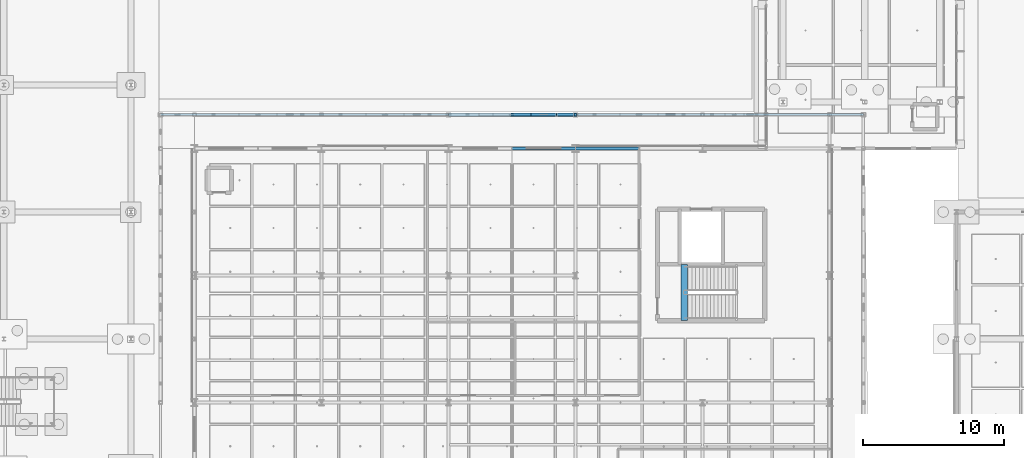
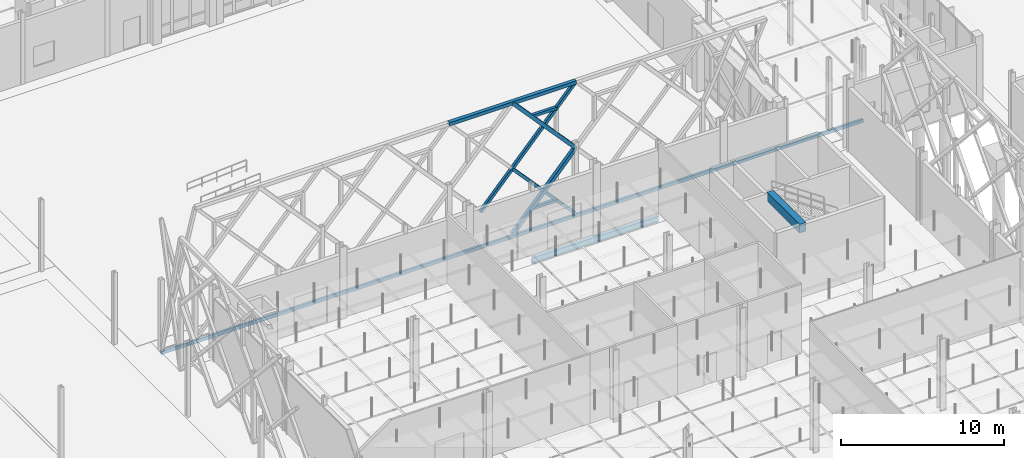
# One storey, part 44 of 180: 9 members, 4 beams.
"""IFC4 building model written with IfcOpenShell, lengths in metres."""

from ifc_helpers import new_model, si_unit, direction, frame, origin, origin_2d, place, context, subcontext, project, spatial, rectangle, hollow_rectangle, i_section, extrude, material, material_profile, profile_set, type_object, element, save


model = new_model("IFC4")

# Units and contexts
model_context = context("Model", 3, precision=1e-05, world=origin(), true_north=direction((0.0, 1.0)))
body_context = subcontext(model_context, "Body", "Model", "MODEL_VIEW")
ifc_project = project(units=[si_unit("LENGTHUNIT", "METRE"), si_unit("AREAUNIT", "SQUARE_METRE"), si_unit("VOLUMEUNIT", "CUBIC_METRE"), si_unit("PLANEANGLEUNIT", "RADIAN"), si_unit("MASSUNIT", "GRAM", prefix="KILO"), si_unit("THERMODYNAMICTEMPERATUREUNIT", "KELVIN"), si_unit("POWERUNIT", "WATT")], contexts=[model_context])

# Site, building, storey
site_placement = place(None, origin())
site = spatial("IfcSite", under=ifc_project, at=site_placement, CompositionType="ELEMENT")
building_placement = place(site_placement, origin())
building = spatial("IfcBuilding", under=site, at=building_placement, Name="Tallowbark Science Centre", CompositionType="ELEMENT")
storey_placement = place(building_placement, origin())
storey = spatial("IfcBuildingStorey", under=building, at=storey_placement, Name="L00", CompositionType="ELEMENT", Elevation=0.0)

# Beam
ifc_material_1 = material(Name="Concrete Grade N40 (40 MPa)", Category="concrete")
ifc_material_profile_1 = material_profile(ifc_material_1, rectangle(XDim=0.449951171875, YDim=0.64990234375, at=origin_2d()), Name="RC450x650")
ifc_profile_set_1 = profile_set([ifc_material_profile_1], Name="Concrete Grade N40 (40 MPa)")
beam_type_1 = type_object("IfcBeamType", Name="BM-GB2-N40", PredefinedType="BEAM", material=ifc_profile_set_1)
beam_1_placement = place(storey_placement, frame((93.2099609375, 28.300048828125, 5.074951171875), z_axis=(0.0, 1.0, 0.0), x_axis=(-1.0, 0.0, 0.0)))
element("IfcBeam", 1, at=beam_1_placement, inside=storey, type_object=beam_type_1, Name="Stair ST-03 Landing Nosing Beam L00", PredefinedType="BEAM", context=body_context, shape_type="SweptSolid", body=[
    extrude(rectangle(XDim=0.449951171875, YDim=0.64990234375, at=origin_2d()), origin(), (0.0, 0.0, 1.0), 3.994873046875),
])

# Members
ifc_material_2 = material(Name="White Architectural Painted Steel Grade C350L0 (350 MPa)", Category="steel")
ifc_material_profile_2 = material_profile(ifc_material_2, hollow_rectangle(XDim=0.25, YDim=0.25, WallThickness=0.009033203125, at=origin_2d()), Name="250x250x9.0SHS")
ifc_profile_set_2 = profile_set([ifc_material_profile_2], Name="White Architectural Painted Steel Grade C350L0 (350 MPa)")
member_type_1 = type_object("IfcMemberType", Name="SCR-CHD200", PredefinedType="CHORD", material=ifc_profile_set_2)
member_1_placement = place(storey_placement, frame((76.5, 42.89990234375, 9.89990234375), z_axis=(1.0, 0.0, 0.0), x_axis=(0.0, 1.0, 0.0)))
element("IfcMember", 2, at=member_1_placement, inside=storey, type_object=member_type_1, Name="Star Screen Frame Chord N-5", PredefinedType="CHORD", context=body_context, shape_type="SweptSolid", body=[
    extrude(hollow_rectangle(XDim=0.25, YDim=0.25, WallThickness=0.009033203125, at=origin_2d()), origin(), (0.0, 0.0, 1.0), 9.0),
])
for number, where, z_axis, x_axis, name in (
    (3, (81.0, 42.89990234375, 0.0), (0.672676426978, 0.0, 0.739936770669), (0.0, 1.0, 0.0), "Star Screen Octagram Diamond Chord N-5-1"),
    (4, (85.5, 42.89990234375, 4.949951171875), (-0.672676426978, 0.0, 0.739936770669), (0.0, -1.0, 0.0), "Star Screen Octagram Diamond Chord N-5-2"),
):
    element("IfcMember", number, at=place(storey_placement, frame(where, z_axis=z_axis, x_axis=x_axis)), inside=storey, type_object=member_type_1, Name=name, PredefinedType="CHORD", context=body_context, shape_type="SweptSolid", body=[
        extrude(hollow_rectangle(XDim=0.25, YDim=0.25, WallThickness=0.009033203125, at=origin_2d()), origin(), (0.0, 0.0, 1.0), 6.689697265625),
    ])
ifc_material_profile_3 = material_profile(ifc_material_2, hollow_rectangle(XDim=0.199951171875, YDim=0.199951171875, WallThickness=0.009033203125, at=origin_2d()), Name="200x200x9.0SHS")
ifc_profile_set_3 = profile_set([ifc_material_profile_3], Name="White Architectural Painted Steel Grade C350L0 (350 MPa)")
member_type_2 = type_object("IfcMemberType", Name="SCR-STAR139", PredefinedType="BRACE", material=ifc_profile_set_3)
member_2_placement = place(storey_placement, frame((78.75, 42.89990234375, 2.47509765625), z_axis=(0.672676426978, 0.0, 0.739936770669), x_axis=(0.0, 1.0, 0.0)))
element("IfcMember", 5, at=member_2_placement, inside=storey, type_object=member_type_2, Name="Star Screen Continuous X-Diagonal D1M N-5", PredefinedType="BRACE", context=body_context, shape_type="SweptSolid", body=[
    extrude(hollow_rectangle(XDim=0.199951171875, YDim=0.199951171875, WallThickness=0.009033203125, at=origin_2d()), origin(), (0.0, 0.0, 1.0), 6.689697265625),
])
for number, where, z_axis, x_axis, name in (
    (6, (83.25, 42.89990234375, 7.425048828125), (0.672694592231, 0.0, 0.739920256233), (0.0, 1.0, 0.0), "Star Screen Continuous X-Diagonal D1B N-5"),
    (7, (81.0, 42.89990234375, 4.949951171875), (0.672694592231, 0.0, -0.739920256233), (0.0, 1.0, 0.0), "Star Screen Split X-Diagonal D2C N-5"),
):
    element("IfcMember", number, at=place(storey_placement, frame(where, z_axis=z_axis, x_axis=x_axis)), inside=storey, type_object=member_type_2, Name=name, PredefinedType="BRACE", context=body_context, shape_type="SweptSolid", body=[
        extrude(hollow_rectangle(XDim=0.199951171875, YDim=0.199951171875, WallThickness=0.009033203125, at=origin_2d()), origin(), (0.0, 0.0, 1.0), 3.3447265625),
    ])
member_3_placement = place(storey_placement, frame((83.25, 42.89990234375, 2.47509765625), z_axis=(0.672658262301, 0.0, -0.739953283768), x_axis=(0.0, 1.0, 0.0)))
element("IfcMember", 8, at=member_3_placement, inside=storey, type_object=member_type_2, Name="Star Screen Split X-Diagonal D2D N-5", PredefinedType="BRACE", context=body_context, shape_type="SweptSolid", body=[
    extrude(hollow_rectangle(XDim=0.199951171875, YDim=0.199951171875, WallThickness=0.009033203125, at=origin_2d()), origin(), (0.0, 0.0, 1.0), 3.344970703125),
])
ifc_material_profile_4 = material_profile(ifc_material_2, hollow_rectangle(XDim=0.199951171875, YDim=0.199951171875, WallThickness=0.009033203125, at=origin_2d()), Name="200x200x9.0SHS")
ifc_profile_set_4 = profile_set([ifc_material_profile_4], Name="White Architectural Painted Steel Grade C350L0 (350 MPa)")
member_type_3 = type_object("IfcMemberType", Name="SCR-SUB150", PredefinedType="BRACE", material=ifc_profile_set_4)
for number, where, z_axis, x_axis, name in (
    (9, (84.14990234375, 42.89990234375, 1.485107421875), (-1.0, 0.0, 0.0), (0.0, -1.0, 0.0), "Star Screen Octagram Point Ray N-5-3"),
    (10, (84.14990234375, 42.89990234375, 8.4150390625), (-1.0, 0.0, 0.0), (0.0, -1.0, 0.0), "Star Screen Octagram Point Ray N-5-5"),
):
    element("IfcMember", number, at=place(storey_placement, frame(where, z_axis=z_axis, x_axis=x_axis)), inside=storey, type_object=member_type_3, Name=name, PredefinedType="BRACE", context=body_context, shape_type="SweptSolid", body=[
        extrude(hollow_rectangle(XDim=0.199951171875, YDim=0.199951171875, WallThickness=0.009033203125, at=origin_2d()), origin(), (0.0, 0.0, 1.0), 1.7998046875),
    ])

# Beams
ifc_material_profile_5 = material_profile(ifc_material_2, hollow_rectangle(XDim=0.14990234375, YDim=0.25, WallThickness=0.009033203125, at=origin_2d()), Name="250x150x9.0RHS")
ifc_profile_set_5 = profile_set([ifc_material_profile_5], Name="White Architectural Painted Steel Grade C350L0 (350 MPa)")
beam_type_2 = type_object("IfcBeamType", Name="SPN-RHS250", PredefinedType="SPANDREL", material=ifc_profile_set_5)
beam_2_placement = place(storey_placement, frame((56.10009765625, 42.89990234375, -0.14990234375), z_axis=(1.0, 0.0, 0.0), x_axis=(0.0, 1.0, 0.0)))
element("IfcBeam", 11, at=beam_2_placement, inside=storey, type_object=beam_type_2, Name="Star Screen Perimeter Ring Beam N-L00", PredefinedType="SPANDREL", context=body_context, shape_type="SweptSolid", body=[
    extrude(hollow_rectangle(XDim=0.14990234375, YDim=0.25, WallThickness=0.009033203125, at=origin_2d()), origin(), (0.0, 0.0, 1.0), 49.7998046875),
])
ifc_material_3 = material(Name="Structural Steel Grade 300PLUS (300 MPa)", Category="steel")
ifc_material_profile_6 = material_profile(ifc_material_3, i_section(OverallWidth=0.18994140625, OverallDepth=0.453857421875, WebThickness=0.008544921875, FlangeThickness=0.0126953125, FilletRadius=0.011474609375, at=origin_2d()), Name="460UB67.1")
ifc_profile_set_6 = profile_set([ifc_material_profile_6], Name="Structural Steel Grade 300PLUS (300 MPa)")
beam_type_3 = type_object("IfcBeamType", Name="SPN-UB460", PredefinedType="SPANDREL", material=ifc_profile_set_6)
for number, where, z_axis, x_axis, name in (
    (12, (81.0, 40.5, -0.491943359375), (1.0, 0.0, 0.0), (0.0, 1.0, 0.0), "Primary Girder GRDX-L00-810-855-405"),
    (13, (85.5, 40.5, -0.491943359375), (1.0, 0.0, 0.0), (0.0, 1.0, 0.0), "Primary Girder GRDX-L00-855-900-405"),
):
    element("IfcBeam", number, at=place(storey_placement, frame(where, z_axis=z_axis, x_axis=x_axis)), inside=storey, type_object=beam_type_3, Name=name, PredefinedType="SPANDREL", context=body_context, shape_type="SweptSolid", body=[
        extrude(i_section(OverallWidth=0.18994140625, OverallDepth=0.453857421875, WebThickness=0.008544921875, FlangeThickness=0.0126953125, FilletRadius=0.011474609375, at=origin_2d()), origin(), (0.0, 0.0, 1.0), 4.5),
    ])

save(model, "model.ifc")
